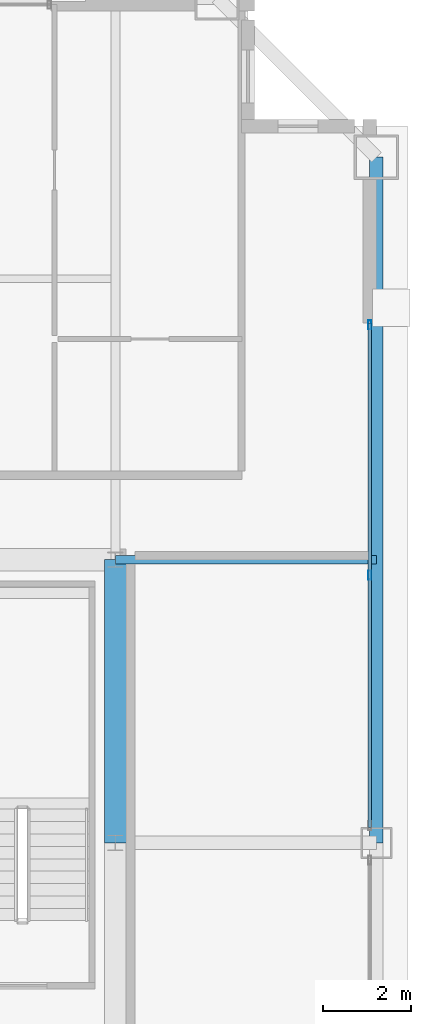
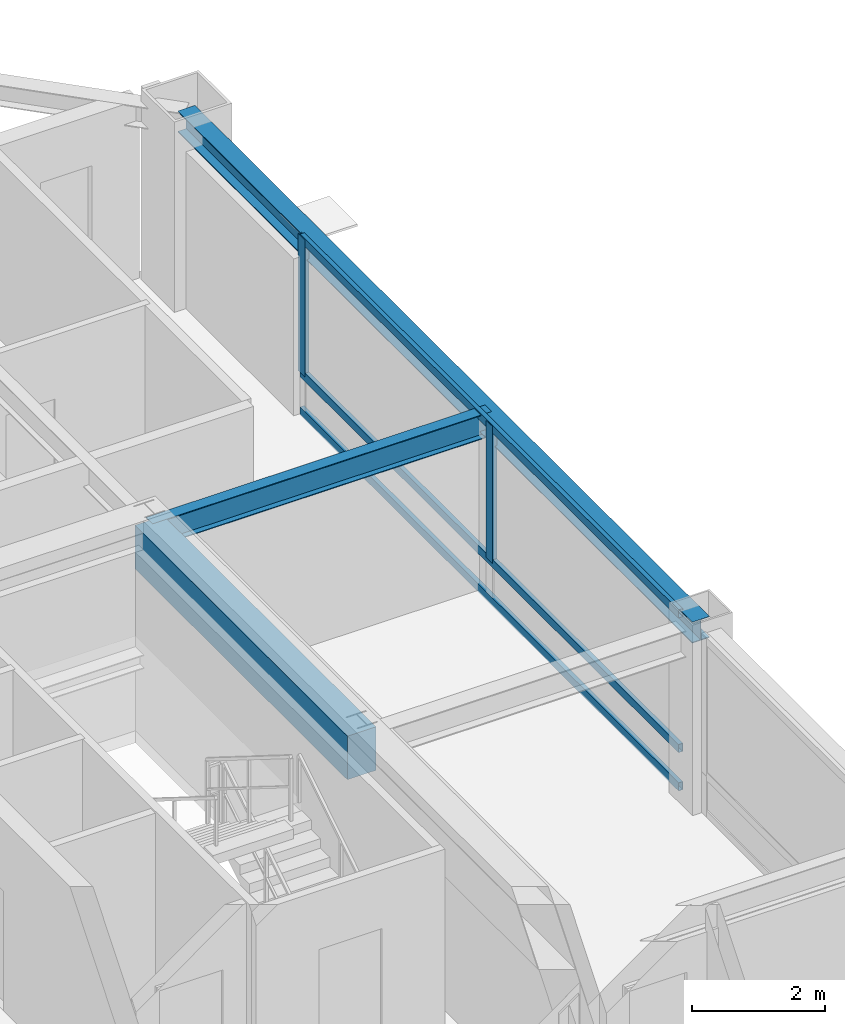
# One storey, part 15 of 35: 5 members, 3 beams, 1 element without a shape of its own.
"""IFC4 building model written with IfcOpenShell, lengths in metres."""

from ifc_helpers import new_model, si_unit, direction, frame, origin, origin_2d, place, context, subcontext, project, spatial, rectangle, hollow_rectangle, i_section, extrude, source, transform, mapped, material, layer, layer_set, material_profile, profile_set, type_object, element, aggregate, save


model = new_model("IFC4")

# Units and contexts
model_context = context("Model", 3, precision=1e-05, world=origin(), true_north=direction((0.0, 1.0)))
body_context = subcontext(model_context, "Body", "Model", "MODEL_VIEW")
ifc_project = project(units=[si_unit("LENGTHUNIT", "METRE"), si_unit("AREAUNIT", "SQUARE_METRE"), si_unit("VOLUMEUNIT", "CUBIC_METRE"), si_unit("PLANEANGLEUNIT", "RADIAN"), si_unit("MASSUNIT", "GRAM", prefix="KILO"), si_unit("THERMODYNAMICTEMPERATUREUNIT", "KELVIN"), si_unit("POWERUNIT", "WATT")], contexts=[model_context])

# Site, building, storey
site_placement = place(None, origin())
site = spatial("IfcSite", under=ifc_project, at=site_placement, CompositionType="ELEMENT")
building_placement = place(site_placement, origin())
building = spatial("IfcBuilding", under=site, at=building_placement, Name="Yuzanri Waterfront Tower", CompositionType="ELEMENT")
storey_placement = place(building_placement, frame((0.0, 0.0, 296.10009765625)))
storey = spatial("IfcBuildingStorey", under=building, at=storey_placement, Name="L79", CompositionType="ELEMENT", Elevation=296.10009765625)

# Beams
ifc_material_1 = material(Name="Concrete C50", Category="concrete")
ifc_material_profile_1 = material_profile(ifc_material_1, rectangle(XDim=0.5, YDim=0.800048828125, at=origin_2d()), Name="RC 500x800")
ifc_profile_set_1 = profile_set([ifc_material_profile_1], Name="Concrete C50")
beam_type_1 = type_object("IfcBeamType", Name="Core Coupling Lintel Concrete C50 500x800", PredefinedType="LINTEL", material=ifc_profile_set_1)
shared_shape_1 = source(origin(), body_context, "Body", "SweptSolid", [
    extrude(rectangle(XDim=0.5, YDim=0.800048828125, at=origin_2d()), origin(), (0.0, 0.0, 1.0), 6.39990234375),
])
beam_1_placement = place(storey_placement, frame((50.199951171875, 25.800048828125, 2.8798828125), z_axis=(0.0, 1.0, 0.0), x_axis=(-1.0, 0.0, 0.0)))
element("IfcBeam", 1, at=beam_1_placement, inside=storey, type_object=beam_type_1, Name="L79 Core Tie Beam CE2", PredefinedType="LINTEL", context=body_context, shape_type="MappedRepresentation", body=[
    mapped(shared_shape_1, transform((0.0, 0.0, 0.0), scale=1.0)),
])
ifc_material_2 = material(Name="Steel Q355B", Category="steel")
ifc_material_profile_2 = material_profile(ifc_material_2, i_section(OverallWidth=0.300048828125, OverallDepth=0.389892578125, WebThickness=0.010009765625, FlangeThickness=0.01611328125, at=origin_2d()), Name="HM 390x300x10x16")
ifc_profile_set_2 = profile_set([ifc_material_profile_2], Name="Steel Q355B")
beam_type_2 = type_object("IfcBeamType", Name="Perimeter Spandrel Q355B HM 390x300", PredefinedType="SPANDREL", material=ifc_profile_set_2)
shared_shape_2 = source(origin(), body_context, "Body", "SweptSolid", [
    extrude(i_section(OverallWidth=0.300048828125, OverallDepth=0.389892578125, WebThickness=0.010009765625, FlangeThickness=0.01611328125, at=origin_2d()), origin(), (0.0, 0.0, 1.0), 15.5),
])
beam_2_placement = place(storey_placement, frame((56.10009765625, 25.800048828125, 3.0849609375), z_axis=(0.0, 1.0, 0.0), x_axis=(-1.0, 0.0, 0.0)))
element("IfcBeam", 2, at=beam_2_placement, inside=storey, type_object=beam_type_2, Name="L79 Perimeter Spandrel E2-E3", PredefinedType="SPANDREL", context=body_context, shape_type="MappedRepresentation", body=[
    mapped(shared_shape_2, transform((0.0, 0.0, 0.0), scale=1.0)),
])
ifc_material_3 = material(Name="Steel Q355B", Category="steel")
ifc_material_profile_3 = material_profile(ifc_material_3, i_section(OverallWidth=0.199951171875, OverallDepth=0.449951171875, WebThickness=0.009033203125, FlangeThickness=0.013916015625, at=origin_2d()), Name="HN 450x200x9x14")
ifc_profile_set_3 = profile_set([ifc_material_profile_3], Name="Steel Q355B")
beam_type_3 = type_object("IfcBeamType", Name="Secondary Floor Beam Q355B HN 450x200", PredefinedType="BEAM", material=ifc_profile_set_3)
shared_shape_3 = source(origin(), body_context, "Body", "SweptSolid", [
    extrude(i_section(OverallWidth=0.199951171875, OverallDepth=0.449951171875, WebThickness=0.009033203125, FlangeThickness=0.013916015625, at=origin_2d()), origin(), (0.0, 0.0, 1.0), 5.900146484375),
])
beam_3_placement = place(storey_placement, frame((50.199951171875, 32.199951171875, 3.054931640625), z_axis=(1.0, 0.0, 0.0), x_axis=(0.0, 1.0, 0.0)))
element("IfcBeam", 3, at=beam_3_placement, inside=storey, type_object=beam_type_3, Name="L79 East-North Core Line Beam", PredefinedType="BEAM", context=body_context, shape_type="MappedRepresentation", body=[
    mapped(shared_shape_3, transform((0.0, 0.0, 0.0), scale=1.0)),
])

# Curtain wall, members
ifc_material_4 = material(Name="Anodized Architectural Bronze", Category="metal")
ifc_layer = layer(ifc_material_4, 0.159912109375)
ifc_layer_set = layer_set([ifc_layer], Name="Anodized Architectural Bronze")
curtain_wall_type = type_object("IfcCurtainWallType", Name="Anodized Bronze High-Rise Penthouse High-Wind Unitized Curtain Wall 6900", PredefinedType="NOTDEFINED", material=ifc_layer_set)
curtain_wall_placement = place(storey_placement, origin())
curtain_wall = element("IfcCurtainWall", 4, at=curtain_wall_placement, inside=storey, type_object=curtain_wall_type, Name="L79 Curtain Wall CW-L79-ER", PredefinedType="NOTDEFINED")
ifc_material_5 = material(Name="Anodized Architectural Bronze", Category="metal")
ifc_material_profile_4 = material_profile(ifc_material_5, hollow_rectangle(XDim=0.074951171875, YDim=0.199951171875, WallThickness=0.00390625, at=origin_2d()), Name="CWM 75x200")
ifc_profile_set_4 = profile_set([ifc_material_profile_4], Name="Anodized Architectural Bronze")
member_type_1 = type_object("IfcMemberType", Name="Anodized Bronze Primary Curtain-Wall Mullion 75x200", PredefinedType="MULLION", material=ifc_profile_set_4)
shared_shape_4 = source(origin(), body_context, "Body", "SweptSolid", [
    extrude(hollow_rectangle(XDim=0.074951171875, YDim=0.199951171875, WallThickness=0.00390625, at=origin_2d()), origin(), (0.0, 0.0, 1.0), 2.52392578125),
])
member_1_placement = place(storey_placement, frame((55.949951171875, 31.85009765625, 0.755859375), z_axis=(0.0, 0.0, 1.0), x_axis=(1.0, 0.0, 0.0)))
member_1 = element("IfcMember", 5, at=member_1_placement, type_object=member_type_1, Name="CW-L79-ER Upper Mullion 01", PredefinedType="MULLION", context=body_context, shape_type="MappedRepresentation", body=[
    mapped(shared_shape_4, transform((0.0, 0.0, 0.0), scale=1.0)),
])
member_2_placement = place(storey_placement, frame((55.949951171875, 37.510009765625, 0.755859375), z_axis=(0.0, 0.0, 1.0), x_axis=(1.0, 0.0, 0.0)))
member_2 = element("IfcMember", 6, at=member_2_placement, type_object=member_type_1, Name="CW-L79-ER Upper Mullion 02", PredefinedType="MULLION", context=body_context, shape_type="MappedRepresentation", body=[
    mapped(shared_shape_4, transform((0.0, 0.0, 0.0), scale=1.0)),
])
ifc_material_6 = material(Name="Anodized Architectural Bronze", Category="metal")
ifc_material_profile_5 = material_profile(ifc_material_6, hollow_rectangle(XDim=0.074951171875, YDim=0.14990234375, WallThickness=0.00390625, at=origin_2d()), Name="CWT 75x150")
ifc_profile_set_5 = profile_set([ifc_material_profile_5], Name="Anodized Architectural Bronze")
member_type_2 = type_object("IfcMemberType", Name="Anodized Bronze Primary Curtain-Wall Transom 75x150", PredefinedType="USERDEFINED", material=ifc_profile_set_5)
shared_shape_5 = source(origin(), body_context, "Body", "SweptSolid", [
    extrude(hollow_rectangle(XDim=0.074951171875, YDim=0.14990234375, WallThickness=0.00390625, at=origin_2d()), origin(), (0.0, 0.0, 1.0), 11.400146484375),
])
member_3_placement = place(storey_placement, frame((55.949951171875, 26.14990234375, 0.0498046875), z_axis=(0.0, 1.0, 0.0), x_axis=(-1.0, 0.0, 0.0)))
member_3 = element("IfcMember", 7, at=member_3_placement, type_object=member_type_2, Name="CW-L79-ER Transom 1", ObjectType="TRANSOM", PredefinedType="USERDEFINED", context=body_context, shape_type="MappedRepresentation", body=[
    mapped(shared_shape_5, transform((0.0, 0.0, 0.0), scale=1.0)),
])
member_4_placement = place(storey_placement, frame((55.949951171875, 26.14990234375, 0.75390625), z_axis=(0.0, 1.0, 0.0), x_axis=(-1.0, 0.0, 0.0)))
member_4 = element("IfcMember", 8, at=member_4_placement, type_object=member_type_2, Name="CW-L79-ER Transom 2", ObjectType="TRANSOM", PredefinedType="USERDEFINED", context=body_context, shape_type="MappedRepresentation", body=[
    mapped(shared_shape_5, transform((0.0, 0.0, 0.0), scale=1.0)),
])
member_5_placement = place(storey_placement, frame((55.949951171875, 26.14990234375, 3.22998046875), z_axis=(0.0, 1.0, 0.0), x_axis=(-1.0, 0.0, 0.0)))
member_5 = element("IfcMember", 9, at=member_5_placement, type_object=member_type_2, Name="CW-L79-ER Transom 3", ObjectType="TRANSOM", PredefinedType="USERDEFINED", context=body_context, shape_type="MappedRepresentation", body=[
    mapped(shared_shape_5, transform((0.0, 0.0, 0.0), scale=1.0)),
])
aggregate(curtain_wall, [member_1, member_2, member_3, member_4, member_5])

save(model, "model.ifc")
